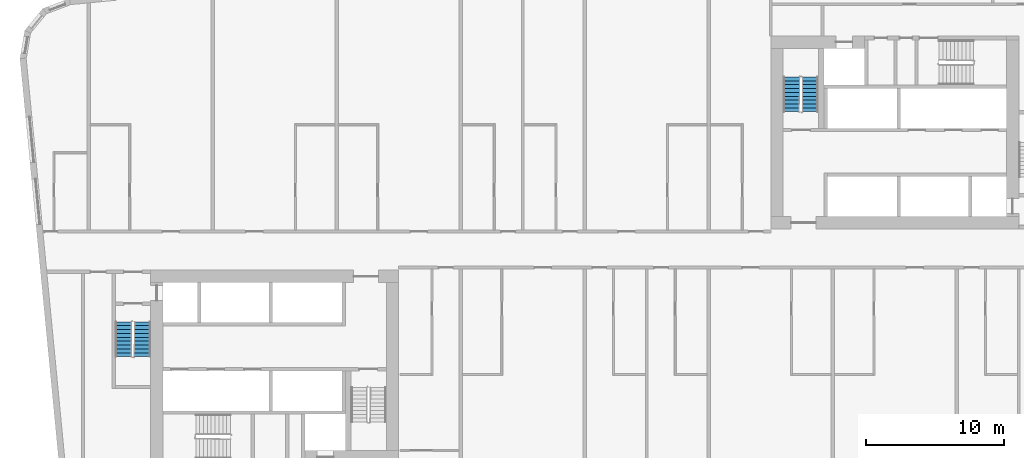
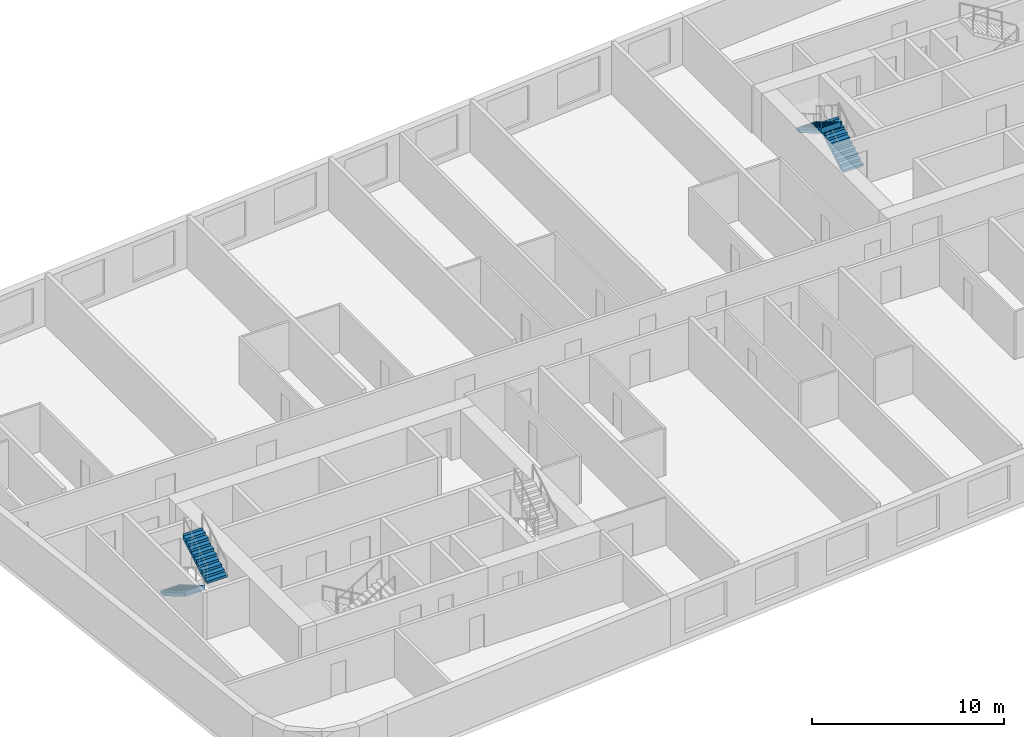
# One storey, part 10 of 12: 4 stair flights, 2 elements without a shape of their own.
"""IFC4 building model written with IfcOpenShell, lengths in metres."""

from ifc_helpers import new_model, si_unit, direction, frame, origin, place, context, subcontext, project, spatial, faceted_brep, material, type_object, element, aggregate, save


model = new_model("IFC4")

# Units and contexts
model_context = context("Model", 3, precision=1e-05, world=origin(), true_north=direction((0.0, 1.0)))
body_context = subcontext(model_context, "Body", "Model", "MODEL_VIEW")
ifc_project = project(units=[si_unit("LENGTHUNIT", "METRE"), si_unit("AREAUNIT", "SQUARE_METRE"), si_unit("VOLUMEUNIT", "CUBIC_METRE"), si_unit("PLANEANGLEUNIT", "RADIAN"), si_unit("MASSUNIT", "GRAM", prefix="KILO")], contexts=[model_context])

# Site, building, storey
site_placement = place(None, origin())
site = spatial("IfcSite", under=ifc_project, at=site_placement, CompositionType="ELEMENT")
building_placement = place(site_placement, origin())
building = spatial("IfcBuilding", under=site, at=building_placement, Name="Kajstack Hotel Tower", CompositionType="ELEMENT")
storey_placement = place(building_placement, frame((0.0, 0.0, 133.89990234375)))
storey = spatial("IfcBuildingStorey", under=building, at=storey_placement, Name="L30", CompositionType="ELEMENT", Elevation=133.89990234375)

# Stair, stair flights
ifc_material = material(Name="Concrete C40/50", Category="concrete")
stair_type = type_object("IfcStairType", Name="Exit stair 1200", PredefinedType="HALF_TURN_STAIR", material=ifc_material)
stair_1_placement = place(storey_placement, origin())
stair_1 = element("IfcStair", 1, at=stair_1_placement, inside=storey, type_object=stair_type, Name="L30 stair W1", PredefinedType="HALF_TURN_STAIR")
stair_flight_type = type_object("IfcStairFlightType", Name="Exit stair flight 1200", PredefinedType="STRAIGHT", material=ifc_material)
stair_flight_1_placement = place(storey_placement, frame((-33.449951171875, -5.25, 0.0), z_axis=(0.0, 0.0, 1.0), x_axis=(0.0, -1.0, 0.0)))
stair_flight_1 = element("IfcStairFlight", 2, at=stair_flight_1_placement, type_object=stair_flight_type, Name="W1 flight 1", NumberOfRisers=10, NumberOfTreads=9, PredefinedType="STRAIGHT", RiserHeight=0.165, TreadLength=0.28, context=body_context, shape_type="Brep", body=[
    faceted_brep([(0.295654296875, -0.60009765625, 0.0), (2.5205078125, -0.60009765625, 1.31103515625), (2.5205078125, -0.60009765625, 1.64990234375), (2.52001953125, -0.60009765625, 1.64990234375), (2.52001953125, -0.60009765625, 1.485107421875), (2.239990234375, -0.60009765625, 1.485107421875), (2.239990234375, -0.60009765625, 1.320068359375), (1.9599609375, -0.60009765625, 1.320068359375), (1.9599609375, -0.60009765625, 1.155029296875), (1.679931640625, -0.60009765625, 1.155029296875), (1.679931640625, -0.60009765625, 0.989990234375), (1.39990234375, -0.60009765625, 0.989990234375), (1.39990234375, -0.60009765625, 0.824951171875), (1.1201171875, -0.60009765625, 0.824951171875), (1.1201171875, -0.60009765625, 0.659912109375), (0.840087890625, -0.60009765625, 0.659912109375), (0.840087890625, -0.60009765625, 0.4951171875), (0.56005859375, -0.60009765625, 0.4951171875), (0.56005859375, -0.60009765625, 0.330078125), (0.280029296875, -0.60009765625, 0.330078125), (0.280029296875, -0.60009765625, 0.1650390625), (-0.00048828125, -0.60009765625, 0.1650390625), (-0.00048828125, -0.60009765625, 0.0), (-0.00048828125, 0.60009765625, 0.0), (-0.00048828125, 0.60009765625, 0.1650390625), (0.280029296875, 0.60009765625, 0.1650390625), (0.280029296875, 0.60009765625, 0.330078125), (0.56005859375, 0.60009765625, 0.330078125), (0.56005859375, 0.60009765625, 0.4951171875), (0.840087890625, 0.60009765625, 0.4951171875), (0.840087890625, 0.60009765625, 0.659912109375), (1.1201171875, 0.60009765625, 0.659912109375), (1.1201171875, 0.60009765625, 0.824951171875), (1.39990234375, 0.60009765625, 0.824951171875), (1.39990234375, 0.60009765625, 0.989990234375), (1.679931640625, 0.60009765625, 0.989990234375), (1.679931640625, 0.60009765625, 1.155029296875), (1.9599609375, 0.60009765625, 1.155029296875), (1.9599609375, 0.60009765625, 1.320068359375), (2.239990234375, 0.60009765625, 1.320068359375), (2.239990234375, 0.60009765625, 1.485107421875), (2.52001953125, 0.60009765625, 1.485107421875), (2.52001953125, 0.60009765625, 1.64990234375), (2.5205078125, 0.60009765625, 1.64990234375), (2.5205078125, 0.60009765625, 1.31103515625), (0.295654296875, 0.60009765625, 0.0), (-0.00048828125, -0.300048828125, 0.1650390625), (-0.00048828125, 0.0, 0.1650390625), (-0.00048828125, 0.300048828125, 0.1650390625), (-0.00048828125, 0.300048828125, 0.0), (-0.00048828125, 0.0, 0.0), (-0.00048828125, -0.300048828125, 0.0), (0.280029296875, -0.300048828125, 0.1650390625), (0.280029296875, 0.0, 0.1650390625), (0.280029296875, 0.300048828125, 0.1650390625), (0.280029296875, -0.300048828125, 0.330078125), (0.280029296875, 0.0, 0.330078125), (0.280029296875, 0.300048828125, 0.330078125), (0.56005859375, -0.300048828125, 0.330078125), (0.56005859375, 0.0, 0.330078125), (0.56005859375, 0.300048828125, 0.330078125), (0.56005859375, -0.300048828125, 0.4951171875), (0.56005859375, 0.0, 0.4951171875), (0.56005859375, 0.300048828125, 0.4951171875), (0.840087890625, -0.300048828125, 0.4951171875), (0.840087890625, 0.0, 0.4951171875), (0.840087890625, 0.300048828125, 0.4951171875), (0.840087890625, -0.300048828125, 0.659912109375), (0.840087890625, 0.0, 0.659912109375), (0.840087890625, 0.300048828125, 0.659912109375), (1.1201171875, -0.300048828125, 0.659912109375), (1.1201171875, 0.0, 0.659912109375), (1.1201171875, 0.300048828125, 0.659912109375), (1.1201171875, -0.300048828125, 0.824951171875), (1.1201171875, 0.0, 0.824951171875), (1.1201171875, 0.300048828125, 0.824951171875), (1.39990234375, -0.300048828125, 0.824951171875), (1.39990234375, 0.0, 0.824951171875), (1.39990234375, 0.300048828125, 0.824951171875), (1.39990234375, -0.300048828125, 0.989990234375), (1.39990234375, 0.0, 0.989990234375), (1.39990234375, 0.300048828125, 0.989990234375), (1.679931640625, -0.300048828125, 0.989990234375), (1.679931640625, 0.0, 0.989990234375), (1.679931640625, 0.300048828125, 0.989990234375), (1.679931640625, -0.300048828125, 1.155029296875), (1.679931640625, 0.0, 1.155029296875), (1.679931640625, 0.300048828125, 1.155029296875), (1.9599609375, -0.300048828125, 1.155029296875), (1.9599609375, 0.0, 1.155029296875), (1.9599609375, 0.300048828125, 1.155029296875), (1.9599609375, -0.300048828125, 1.320068359375), (1.9599609375, 0.0, 1.320068359375), (1.9599609375, 0.300048828125, 1.320068359375), (2.239990234375, -0.300048828125, 1.320068359375), (2.239990234375, 0.0, 1.320068359375), (2.239990234375, 0.300048828125, 1.320068359375), (2.239990234375, -0.300048828125, 1.485107421875), (2.239990234375, 0.0, 1.485107421875), (2.239990234375, 0.300048828125, 1.485107421875), (2.52001953125, -0.300048828125, 1.485107421875), (2.52001953125, 0.0, 1.485107421875), (2.52001953125, 0.300048828125, 1.485107421875), (2.52001953125, -0.300048828125, 1.64990234375), (2.52001953125, 0.0, 1.64990234375), (2.52001953125, 0.300048828125, 1.64990234375), (2.5205078125, -0.300048828125, 1.64990234375), (2.5205078125, 0.0, 1.64990234375), (2.5205078125, 0.300048828125, 1.64990234375), (2.5205078125, -0.300048828125, 1.31103515625), (2.5205078125, 0.0, 1.31103515625), (2.5205078125, 0.300048828125, 1.31103515625), (0.295654296875, -0.300048828125, 0.0), (0.295654296875, 0.0, 0.0), (0.295654296875, 0.300048828125, 0.0)], [[[0, 1, 2, 3, 4, 5, 6, 7, 8, 9, 10, 11, 12, 13, 14, 15, 16, 17, 18, 19, 20, 21, 22]], [[23, 24, 25, 26, 27, 28, 29, 30, 31, 32, 33, 34, 35, 36, 37, 38, 39, 40, 41, 42, 43, 44, 45]], [[21, 46, 47, 48, 24, 23, 49, 50, 51, 22]], [[20, 52, 53, 54, 25, 24, 48, 47, 46, 21]], [[19, 55, 56, 57, 26, 25, 54, 53, 52, 20]], [[18, 58, 59, 60, 27, 26, 57, 56, 55, 19]], [[17, 61, 62, 63, 28, 27, 60, 59, 58, 18]], [[16, 64, 65, 66, 29, 28, 63, 62, 61, 17]], [[15, 67, 68, 69, 30, 29, 66, 65, 64, 16]], [[14, 70, 71, 72, 31, 30, 69, 68, 67, 15]], [[13, 73, 74, 75, 32, 31, 72, 71, 70, 14]], [[12, 76, 77, 78, 33, 32, 75, 74, 73, 13]], [[11, 79, 80, 81, 34, 33, 78, 77, 76, 12]], [[10, 82, 83, 84, 35, 34, 81, 80, 79, 11]], [[9, 85, 86, 87, 36, 35, 84, 83, 82, 10]], [[8, 88, 89, 90, 37, 36, 87, 86, 85, 9]], [[7, 91, 92, 93, 38, 37, 90, 89, 88, 8]], [[6, 94, 95, 96, 39, 38, 93, 92, 91, 7]], [[5, 97, 98, 99, 40, 39, 96, 95, 94, 6]], [[4, 100, 101, 102, 41, 40, 99, 98, 97, 5]], [[3, 103, 104, 105, 42, 41, 102, 101, 100, 4]], [[2, 106, 107, 108, 43, 42, 105, 104, 103, 3]], [[1, 109, 110, 111, 44, 43, 108, 107, 106, 2]], [[0, 112, 113, 114, 45, 44, 111, 110, 109, 1]], [[22, 51, 50, 49, 23, 45, 114, 113, 112, 0]]]),
])
stair_flight_2_placement = place(storey_placement, frame((-32.10009765625, -7.77001953125, 1.650146484375), z_axis=(0.0, 0.0, 1.0), x_axis=(0.0, 1.0, 0.0)))
stair_flight_2 = element("IfcStairFlight", 3, at=stair_flight_2_placement, type_object=stair_flight_type, Name="W1 flight 2", NumberOfRisers=10, NumberOfTreads=9, PredefinedType="STRAIGHT", RiserHeight=0.165, TreadLength=0.28, context=body_context, shape_type="Brep", body=[
    faceted_brep([(0.295654296875, -0.60009765625, 0.0), (2.5205078125, -0.60009765625, 1.31103515625), (2.5205078125, -0.60009765625, 1.64990234375), (2.52001953125, -0.60009765625, 1.64990234375), (2.52001953125, -0.60009765625, 1.485107421875), (2.239990234375, -0.60009765625, 1.485107421875), (2.239990234375, -0.60009765625, 1.320068359375), (1.9599609375, -0.60009765625, 1.320068359375), (1.9599609375, -0.60009765625, 1.155029296875), (1.679931640625, -0.60009765625, 1.155029296875), (1.679931640625, -0.60009765625, 0.989990234375), (1.39990234375, -0.60009765625, 0.989990234375), (1.39990234375, -0.60009765625, 0.824951171875), (1.1201171875, -0.60009765625, 0.824951171875), (1.1201171875, -0.60009765625, 0.659912109375), (0.840087890625, -0.60009765625, 0.659912109375), (0.840087890625, -0.60009765625, 0.4951171875), (0.56005859375, -0.60009765625, 0.4951171875), (0.56005859375, -0.60009765625, 0.330078125), (0.280029296875, -0.60009765625, 0.330078125), (0.280029296875, -0.60009765625, 0.1650390625), (-0.00048828125, -0.60009765625, 0.1650390625), (-0.00048828125, -0.60009765625, 0.0), (-0.00048828125, 0.60009765625, 0.0), (-0.00048828125, 0.60009765625, 0.1650390625), (0.280029296875, 0.60009765625, 0.1650390625), (0.280029296875, 0.60009765625, 0.330078125), (0.56005859375, 0.60009765625, 0.330078125), (0.56005859375, 0.60009765625, 0.4951171875), (0.840087890625, 0.60009765625, 0.4951171875), (0.840087890625, 0.60009765625, 0.659912109375), (1.1201171875, 0.60009765625, 0.659912109375), (1.1201171875, 0.60009765625, 0.824951171875), (1.39990234375, 0.60009765625, 0.824951171875), (1.39990234375, 0.60009765625, 0.989990234375), (1.679931640625, 0.60009765625, 0.989990234375), (1.679931640625, 0.60009765625, 1.155029296875), (1.9599609375, 0.60009765625, 1.155029296875), (1.9599609375, 0.60009765625, 1.320068359375), (2.239990234375, 0.60009765625, 1.320068359375), (2.239990234375, 0.60009765625, 1.485107421875), (2.52001953125, 0.60009765625, 1.485107421875), (2.52001953125, 0.60009765625, 1.64990234375), (2.5205078125, 0.60009765625, 1.64990234375), (2.5205078125, 0.60009765625, 1.31103515625), (0.295654296875, 0.60009765625, 0.0), (-0.00048828125, -0.300048828125, 0.1650390625), (-0.00048828125, 0.0, 0.1650390625), (-0.00048828125, 0.300048828125, 0.1650390625), (-0.00048828125, 0.300048828125, 0.0), (-0.00048828125, 0.0, 0.0), (-0.00048828125, -0.300048828125, 0.0), (0.280029296875, -0.300048828125, 0.1650390625), (0.280029296875, 0.0, 0.1650390625), (0.280029296875, 0.300048828125, 0.1650390625), (0.280029296875, -0.300048828125, 0.330078125), (0.280029296875, 0.0, 0.330078125), (0.280029296875, 0.300048828125, 0.330078125), (0.56005859375, -0.300048828125, 0.330078125), (0.56005859375, 0.0, 0.330078125), (0.56005859375, 0.300048828125, 0.330078125), (0.56005859375, -0.300048828125, 0.4951171875), (0.56005859375, 0.0, 0.4951171875), (0.56005859375, 0.300048828125, 0.4951171875), (0.840087890625, -0.300048828125, 0.4951171875), (0.840087890625, 0.0, 0.4951171875), (0.840087890625, 0.300048828125, 0.4951171875), (0.840087890625, -0.300048828125, 0.659912109375), (0.840087890625, 0.0, 0.659912109375), (0.840087890625, 0.300048828125, 0.659912109375), (1.1201171875, -0.300048828125, 0.659912109375), (1.1201171875, 0.0, 0.659912109375), (1.1201171875, 0.300048828125, 0.659912109375), (1.1201171875, -0.300048828125, 0.824951171875), (1.1201171875, 0.0, 0.824951171875), (1.1201171875, 0.300048828125, 0.824951171875), (1.39990234375, -0.300048828125, 0.824951171875), (1.39990234375, 0.0, 0.824951171875), (1.39990234375, 0.300048828125, 0.824951171875), (1.39990234375, -0.300048828125, 0.989990234375), (1.39990234375, 0.0, 0.989990234375), (1.39990234375, 0.300048828125, 0.989990234375), (1.679931640625, -0.300048828125, 0.989990234375), (1.679931640625, 0.0, 0.989990234375), (1.679931640625, 0.300048828125, 0.989990234375), (1.679931640625, -0.300048828125, 1.155029296875), (1.679931640625, 0.0, 1.155029296875), (1.679931640625, 0.300048828125, 1.155029296875), (1.9599609375, -0.300048828125, 1.155029296875), (1.9599609375, 0.0, 1.155029296875), (1.9599609375, 0.300048828125, 1.155029296875), (1.9599609375, -0.300048828125, 1.320068359375), (1.9599609375, 0.0, 1.320068359375), (1.9599609375, 0.300048828125, 1.320068359375), (2.239990234375, -0.300048828125, 1.320068359375), (2.239990234375, 0.0, 1.320068359375), (2.239990234375, 0.300048828125, 1.320068359375), (2.239990234375, -0.300048828125, 1.485107421875), (2.239990234375, 0.0, 1.485107421875), (2.239990234375, 0.300048828125, 1.485107421875), (2.52001953125, -0.300048828125, 1.485107421875), (2.52001953125, 0.0, 1.485107421875), (2.52001953125, 0.300048828125, 1.485107421875), (2.52001953125, -0.300048828125, 1.64990234375), (2.52001953125, 0.0, 1.64990234375), (2.52001953125, 0.300048828125, 1.64990234375), (2.5205078125, -0.300048828125, 1.64990234375), (2.5205078125, 0.0, 1.64990234375), (2.5205078125, 0.300048828125, 1.64990234375), (2.5205078125, -0.300048828125, 1.31103515625), (2.5205078125, 0.0, 1.31103515625), (2.5205078125, 0.300048828125, 1.31103515625), (0.295654296875, -0.300048828125, 0.0), (0.295654296875, 0.0, 0.0), (0.295654296875, 0.300048828125, 0.0)], [[[0, 1, 2, 3, 4, 5, 6, 7, 8, 9, 10, 11, 12, 13, 14, 15, 16, 17, 18, 19, 20, 21, 22]], [[23, 24, 25, 26, 27, 28, 29, 30, 31, 32, 33, 34, 35, 36, 37, 38, 39, 40, 41, 42, 43, 44, 45]], [[21, 46, 47, 48, 24, 23, 49, 50, 51, 22]], [[20, 52, 53, 54, 25, 24, 48, 47, 46, 21]], [[19, 55, 56, 57, 26, 25, 54, 53, 52, 20]], [[18, 58, 59, 60, 27, 26, 57, 56, 55, 19]], [[17, 61, 62, 63, 28, 27, 60, 59, 58, 18]], [[16, 64, 65, 66, 29, 28, 63, 62, 61, 17]], [[15, 67, 68, 69, 30, 29, 66, 65, 64, 16]], [[14, 70, 71, 72, 31, 30, 69, 68, 67, 15]], [[13, 73, 74, 75, 32, 31, 72, 71, 70, 14]], [[12, 76, 77, 78, 33, 32, 75, 74, 73, 13]], [[11, 79, 80, 81, 34, 33, 78, 77, 76, 12]], [[10, 82, 83, 84, 35, 34, 81, 80, 79, 11]], [[9, 85, 86, 87, 36, 35, 84, 83, 82, 10]], [[8, 88, 89, 90, 37, 36, 87, 86, 85, 9]], [[7, 91, 92, 93, 38, 37, 90, 89, 88, 8]], [[6, 94, 95, 96, 39, 38, 93, 92, 91, 7]], [[5, 97, 98, 99, 40, 39, 96, 95, 94, 6]], [[4, 100, 101, 102, 41, 40, 99, 98, 97, 5]], [[3, 103, 104, 105, 42, 41, 102, 101, 100, 4]], [[2, 106, 107, 108, 43, 42, 105, 104, 103, 3]], [[1, 109, 110, 111, 44, 43, 108, 107, 106, 2]], [[0, 112, 113, 114, 45, 44, 111, 110, 109, 1]], [[22, 51, 50, 49, 23, 45, 114, 113, 112, 0]]]),
])
aggregate(stair_1, [stair_flight_1, stair_flight_2])

stair_2_placement = place(storey_placement, origin())
stair_2 = element("IfcStair", 4, at=stair_2_placement, inside=storey, type_object=stair_type, Name="L30 stair E2", PredefinedType="HALF_TURN_STAIR")
stair_flight_3_placement = place(storey_placement, frame((16.35009765625, 10.0, 0.0), z_axis=(0.0, 0.0, 1.0), x_axis=(0.0, 1.0, 0.0)))
stair_flight_3 = element("IfcStairFlight", 5, at=stair_flight_3_placement, type_object=stair_flight_type, Name="E2 flight 1", NumberOfRisers=10, NumberOfTreads=9, PredefinedType="STRAIGHT", RiserHeight=0.165, TreadLength=0.28, context=body_context, shape_type="Brep", body=[
    faceted_brep([(0.295654296875, -0.60009765625, 0.0), (2.5205078125, -0.60009765625, 1.31103515625), (2.5205078125, -0.60009765625, 1.64990234375), (2.52001953125, -0.60009765625, 1.64990234375), (2.52001953125, -0.60009765625, 1.485107421875), (2.239990234375, -0.60009765625, 1.485107421875), (2.239990234375, -0.60009765625, 1.320068359375), (1.9599609375, -0.60009765625, 1.320068359375), (1.9599609375, -0.60009765625, 1.155029296875), (1.679931640625, -0.60009765625, 1.155029296875), (1.679931640625, -0.60009765625, 0.989990234375), (1.39990234375, -0.60009765625, 0.989990234375), (1.39990234375, -0.60009765625, 0.824951171875), (1.1201171875, -0.60009765625, 0.824951171875), (1.1201171875, -0.60009765625, 0.659912109375), (0.840087890625, -0.60009765625, 0.659912109375), (0.840087890625, -0.60009765625, 0.4951171875), (0.56005859375, -0.60009765625, 0.4951171875), (0.56005859375, -0.60009765625, 0.330078125), (0.280029296875, -0.60009765625, 0.330078125), (0.280029296875, -0.60009765625, 0.1650390625), (-0.00048828125, -0.60009765625, 0.1650390625), (-0.00048828125, -0.60009765625, 0.0), (-0.00048828125, 0.60009765625, 0.0), (-0.00048828125, 0.60009765625, 0.1650390625), (0.280029296875, 0.60009765625, 0.1650390625), (0.280029296875, 0.60009765625, 0.330078125), (0.56005859375, 0.60009765625, 0.330078125), (0.56005859375, 0.60009765625, 0.4951171875), (0.840087890625, 0.60009765625, 0.4951171875), (0.840087890625, 0.60009765625, 0.659912109375), (1.1201171875, 0.60009765625, 0.659912109375), (1.1201171875, 0.60009765625, 0.824951171875), (1.39990234375, 0.60009765625, 0.824951171875), (1.39990234375, 0.60009765625, 0.989990234375), (1.679931640625, 0.60009765625, 0.989990234375), (1.679931640625, 0.60009765625, 1.155029296875), (1.9599609375, 0.60009765625, 1.155029296875), (1.9599609375, 0.60009765625, 1.320068359375), (2.239990234375, 0.60009765625, 1.320068359375), (2.239990234375, 0.60009765625, 1.485107421875), (2.52001953125, 0.60009765625, 1.485107421875), (2.52001953125, 0.60009765625, 1.64990234375), (2.5205078125, 0.60009765625, 1.64990234375), (2.5205078125, 0.60009765625, 1.31103515625), (0.295654296875, 0.60009765625, 0.0), (-0.00048828125, -0.300048828125, 0.1650390625), (-0.00048828125, 0.0, 0.1650390625), (-0.00048828125, 0.300048828125, 0.1650390625), (-0.00048828125, 0.300048828125, 0.0), (-0.00048828125, 0.0, 0.0), (-0.00048828125, -0.300048828125, 0.0), (0.280029296875, -0.300048828125, 0.1650390625), (0.280029296875, 0.0, 0.1650390625), (0.280029296875, 0.300048828125, 0.1650390625), (0.280029296875, -0.300048828125, 0.330078125), (0.280029296875, 0.0, 0.330078125), (0.280029296875, 0.300048828125, 0.330078125), (0.56005859375, -0.300048828125, 0.330078125), (0.56005859375, 0.0, 0.330078125), (0.56005859375, 0.300048828125, 0.330078125), (0.56005859375, -0.300048828125, 0.4951171875), (0.56005859375, 0.0, 0.4951171875), (0.56005859375, 0.300048828125, 0.4951171875), (0.840087890625, -0.300048828125, 0.4951171875), (0.840087890625, 0.0, 0.4951171875), (0.840087890625, 0.300048828125, 0.4951171875), (0.840087890625, -0.300048828125, 0.659912109375), (0.840087890625, 0.0, 0.659912109375), (0.840087890625, 0.300048828125, 0.659912109375), (1.1201171875, -0.300048828125, 0.659912109375), (1.1201171875, 0.0, 0.659912109375), (1.1201171875, 0.300048828125, 0.659912109375), (1.1201171875, -0.300048828125, 0.824951171875), (1.1201171875, 0.0, 0.824951171875), (1.1201171875, 0.300048828125, 0.824951171875), (1.39990234375, -0.300048828125, 0.824951171875), (1.39990234375, 0.0, 0.824951171875), (1.39990234375, 0.300048828125, 0.824951171875), (1.39990234375, -0.300048828125, 0.989990234375), (1.39990234375, 0.0, 0.989990234375), (1.39990234375, 0.300048828125, 0.989990234375), (1.679931640625, -0.300048828125, 0.989990234375), (1.679931640625, 0.0, 0.989990234375), (1.679931640625, 0.300048828125, 0.989990234375), (1.679931640625, -0.300048828125, 1.155029296875), (1.679931640625, 0.0, 1.155029296875), (1.679931640625, 0.300048828125, 1.155029296875), (1.9599609375, -0.300048828125, 1.155029296875), (1.9599609375, 0.0, 1.155029296875), (1.9599609375, 0.300048828125, 1.155029296875), (1.9599609375, -0.300048828125, 1.320068359375), (1.9599609375, 0.0, 1.320068359375), (1.9599609375, 0.300048828125, 1.320068359375), (2.239990234375, -0.300048828125, 1.320068359375), (2.239990234375, 0.0, 1.320068359375), (2.239990234375, 0.300048828125, 1.320068359375), (2.239990234375, -0.300048828125, 1.485107421875), (2.239990234375, 0.0, 1.485107421875), (2.239990234375, 0.300048828125, 1.485107421875), (2.52001953125, -0.300048828125, 1.485107421875), (2.52001953125, 0.0, 1.485107421875), (2.52001953125, 0.300048828125, 1.485107421875), (2.52001953125, -0.300048828125, 1.64990234375), (2.52001953125, 0.0, 1.64990234375), (2.52001953125, 0.300048828125, 1.64990234375), (2.5205078125, -0.300048828125, 1.64990234375), (2.5205078125, 0.0, 1.64990234375), (2.5205078125, 0.300048828125, 1.64990234375), (2.5205078125, -0.300048828125, 1.31103515625), (2.5205078125, 0.0, 1.31103515625), (2.5205078125, 0.300048828125, 1.31103515625), (0.295654296875, -0.300048828125, 0.0), (0.295654296875, 0.0, 0.0), (0.295654296875, 0.300048828125, 0.0)], [[[0, 1, 2, 3, 4, 5, 6, 7, 8, 9, 10, 11, 12, 13, 14, 15, 16, 17, 18, 19, 20, 21, 22]], [[23, 24, 25, 26, 27, 28, 29, 30, 31, 32, 33, 34, 35, 36, 37, 38, 39, 40, 41, 42, 43, 44, 45]], [[21, 46, 47, 48, 24, 23, 49, 50, 51, 22]], [[20, 52, 53, 54, 25, 24, 48, 47, 46, 21]], [[19, 55, 56, 57, 26, 25, 54, 53, 52, 20]], [[18, 58, 59, 60, 27, 26, 57, 56, 55, 19]], [[17, 61, 62, 63, 28, 27, 60, 59, 58, 18]], [[16, 64, 65, 66, 29, 28, 63, 62, 61, 17]], [[15, 67, 68, 69, 30, 29, 66, 65, 64, 16]], [[14, 70, 71, 72, 31, 30, 69, 68, 67, 15]], [[13, 73, 74, 75, 32, 31, 72, 71, 70, 14]], [[12, 76, 77, 78, 33, 32, 75, 74, 73, 13]], [[11, 79, 80, 81, 34, 33, 78, 77, 76, 12]], [[10, 82, 83, 84, 35, 34, 81, 80, 79, 11]], [[9, 85, 86, 87, 36, 35, 84, 83, 82, 10]], [[8, 88, 89, 90, 37, 36, 87, 86, 85, 9]], [[7, 91, 92, 93, 38, 37, 90, 89, 88, 8]], [[6, 94, 95, 96, 39, 38, 93, 92, 91, 7]], [[5, 97, 98, 99, 40, 39, 96, 95, 94, 6]], [[4, 100, 101, 102, 41, 40, 99, 98, 97, 5]], [[3, 103, 104, 105, 42, 41, 102, 101, 100, 4]], [[2, 106, 107, 108, 43, 42, 105, 104, 103, 3]], [[1, 109, 110, 111, 44, 43, 108, 107, 106, 2]], [[0, 112, 113, 114, 45, 44, 111, 110, 109, 1]], [[22, 51, 50, 49, 23, 45, 114, 113, 112, 0]]]),
])
stair_flight_4_placement = place(storey_placement, frame((15.0, 12.52001953125, 1.650146484375), z_axis=(0.0, 0.0, 1.0), x_axis=(0.0, -1.0, 0.0)))
stair_flight_4 = element("IfcStairFlight", 6, at=stair_flight_4_placement, type_object=stair_flight_type, Name="E2 flight 2", NumberOfRisers=10, NumberOfTreads=9, PredefinedType="STRAIGHT", RiserHeight=0.165, TreadLength=0.28, context=body_context, shape_type="Brep", body=[
    faceted_brep([(0.295654296875, -0.60009765625, 0.0), (2.5205078125, -0.60009765625, 1.31103515625), (2.5205078125, -0.60009765625, 1.64990234375), (2.52001953125, -0.60009765625, 1.64990234375), (2.52001953125, -0.60009765625, 1.485107421875), (2.239990234375, -0.60009765625, 1.485107421875), (2.239990234375, -0.60009765625, 1.320068359375), (1.9599609375, -0.60009765625, 1.320068359375), (1.9599609375, -0.60009765625, 1.155029296875), (1.679931640625, -0.60009765625, 1.155029296875), (1.679931640625, -0.60009765625, 0.989990234375), (1.39990234375, -0.60009765625, 0.989990234375), (1.39990234375, -0.60009765625, 0.824951171875), (1.1201171875, -0.60009765625, 0.824951171875), (1.1201171875, -0.60009765625, 0.659912109375), (0.840087890625, -0.60009765625, 0.659912109375), (0.840087890625, -0.60009765625, 0.4951171875), (0.56005859375, -0.60009765625, 0.4951171875), (0.56005859375, -0.60009765625, 0.330078125), (0.280029296875, -0.60009765625, 0.330078125), (0.280029296875, -0.60009765625, 0.1650390625), (-0.00048828125, -0.60009765625, 0.1650390625), (-0.00048828125, -0.60009765625, 0.0), (-0.00048828125, 0.60009765625, 0.0), (-0.00048828125, 0.60009765625, 0.1650390625), (0.280029296875, 0.60009765625, 0.1650390625), (0.280029296875, 0.60009765625, 0.330078125), (0.56005859375, 0.60009765625, 0.330078125), (0.56005859375, 0.60009765625, 0.4951171875), (0.840087890625, 0.60009765625, 0.4951171875), (0.840087890625, 0.60009765625, 0.659912109375), (1.1201171875, 0.60009765625, 0.659912109375), (1.1201171875, 0.60009765625, 0.824951171875), (1.39990234375, 0.60009765625, 0.824951171875), (1.39990234375, 0.60009765625, 0.989990234375), (1.679931640625, 0.60009765625, 0.989990234375), (1.679931640625, 0.60009765625, 1.155029296875), (1.9599609375, 0.60009765625, 1.155029296875), (1.9599609375, 0.60009765625, 1.320068359375), (2.239990234375, 0.60009765625, 1.320068359375), (2.239990234375, 0.60009765625, 1.485107421875), (2.52001953125, 0.60009765625, 1.485107421875), (2.52001953125, 0.60009765625, 1.64990234375), (2.5205078125, 0.60009765625, 1.64990234375), (2.5205078125, 0.60009765625, 1.31103515625), (0.295654296875, 0.60009765625, 0.0), (-0.00048828125, -0.300048828125, 0.1650390625), (-0.00048828125, 0.0, 0.1650390625), (-0.00048828125, 0.300048828125, 0.1650390625), (-0.00048828125, 0.300048828125, 0.0), (-0.00048828125, 0.0, 0.0), (-0.00048828125, -0.300048828125, 0.0), (0.280029296875, -0.300048828125, 0.1650390625), (0.280029296875, 0.0, 0.1650390625), (0.280029296875, 0.300048828125, 0.1650390625), (0.280029296875, -0.300048828125, 0.330078125), (0.280029296875, 0.0, 0.330078125), (0.280029296875, 0.300048828125, 0.330078125), (0.56005859375, -0.300048828125, 0.330078125), (0.56005859375, 0.0, 0.330078125), (0.56005859375, 0.300048828125, 0.330078125), (0.56005859375, -0.300048828125, 0.4951171875), (0.56005859375, 0.0, 0.4951171875), (0.56005859375, 0.300048828125, 0.4951171875), (0.840087890625, -0.300048828125, 0.4951171875), (0.840087890625, 0.0, 0.4951171875), (0.840087890625, 0.300048828125, 0.4951171875), (0.840087890625, -0.300048828125, 0.659912109375), (0.840087890625, 0.0, 0.659912109375), (0.840087890625, 0.300048828125, 0.659912109375), (1.1201171875, -0.300048828125, 0.659912109375), (1.1201171875, 0.0, 0.659912109375), (1.1201171875, 0.300048828125, 0.659912109375), (1.1201171875, -0.300048828125, 0.824951171875), (1.1201171875, 0.0, 0.824951171875), (1.1201171875, 0.300048828125, 0.824951171875), (1.39990234375, -0.300048828125, 0.824951171875), (1.39990234375, 0.0, 0.824951171875), (1.39990234375, 0.300048828125, 0.824951171875), (1.39990234375, -0.300048828125, 0.989990234375), (1.39990234375, 0.0, 0.989990234375), (1.39990234375, 0.300048828125, 0.989990234375), (1.679931640625, -0.300048828125, 0.989990234375), (1.679931640625, 0.0, 0.989990234375), (1.679931640625, 0.300048828125, 0.989990234375), (1.679931640625, -0.300048828125, 1.155029296875), (1.679931640625, 0.0, 1.155029296875), (1.679931640625, 0.300048828125, 1.155029296875), (1.9599609375, -0.300048828125, 1.155029296875), (1.9599609375, 0.0, 1.155029296875), (1.9599609375, 0.300048828125, 1.155029296875), (1.9599609375, -0.300048828125, 1.320068359375), (1.9599609375, 0.0, 1.320068359375), (1.9599609375, 0.300048828125, 1.320068359375), (2.239990234375, -0.300048828125, 1.320068359375), (2.239990234375, 0.0, 1.320068359375), (2.239990234375, 0.300048828125, 1.320068359375), (2.239990234375, -0.300048828125, 1.485107421875), (2.239990234375, 0.0, 1.485107421875), (2.239990234375, 0.300048828125, 1.485107421875), (2.52001953125, -0.300048828125, 1.485107421875), (2.52001953125, 0.0, 1.485107421875), (2.52001953125, 0.300048828125, 1.485107421875), (2.52001953125, -0.300048828125, 1.64990234375), (2.52001953125, 0.0, 1.64990234375), (2.52001953125, 0.300048828125, 1.64990234375), (2.5205078125, -0.300048828125, 1.64990234375), (2.5205078125, 0.0, 1.64990234375), (2.5205078125, 0.300048828125, 1.64990234375), (2.5205078125, -0.300048828125, 1.31103515625), (2.5205078125, 0.0, 1.31103515625), (2.5205078125, 0.300048828125, 1.31103515625), (0.295654296875, -0.300048828125, 0.0), (0.295654296875, 0.0, 0.0), (0.295654296875, 0.300048828125, 0.0)], [[[0, 1, 2, 3, 4, 5, 6, 7, 8, 9, 10, 11, 12, 13, 14, 15, 16, 17, 18, 19, 20, 21, 22]], [[23, 24, 25, 26, 27, 28, 29, 30, 31, 32, 33, 34, 35, 36, 37, 38, 39, 40, 41, 42, 43, 44, 45]], [[21, 46, 47, 48, 24, 23, 49, 50, 51, 22]], [[20, 52, 53, 54, 25, 24, 48, 47, 46, 21]], [[19, 55, 56, 57, 26, 25, 54, 53, 52, 20]], [[18, 58, 59, 60, 27, 26, 57, 56, 55, 19]], [[17, 61, 62, 63, 28, 27, 60, 59, 58, 18]], [[16, 64, 65, 66, 29, 28, 63, 62, 61, 17]], [[15, 67, 68, 69, 30, 29, 66, 65, 64, 16]], [[14, 70, 71, 72, 31, 30, 69, 68, 67, 15]], [[13, 73, 74, 75, 32, 31, 72, 71, 70, 14]], [[12, 76, 77, 78, 33, 32, 75, 74, 73, 13]], [[11, 79, 80, 81, 34, 33, 78, 77, 76, 12]], [[10, 82, 83, 84, 35, 34, 81, 80, 79, 11]], [[9, 85, 86, 87, 36, 35, 84, 83, 82, 10]], [[8, 88, 89, 90, 37, 36, 87, 86, 85, 9]], [[7, 91, 92, 93, 38, 37, 90, 89, 88, 8]], [[6, 94, 95, 96, 39, 38, 93, 92, 91, 7]], [[5, 97, 98, 99, 40, 39, 96, 95, 94, 6]], [[4, 100, 101, 102, 41, 40, 99, 98, 97, 5]], [[3, 103, 104, 105, 42, 41, 102, 101, 100, 4]], [[2, 106, 107, 108, 43, 42, 105, 104, 103, 3]], [[1, 109, 110, 111, 44, 43, 108, 107, 106, 2]], [[0, 112, 113, 114, 45, 44, 111, 110, 109, 1]], [[22, 51, 50, 49, 23, 45, 114, 113, 112, 0]]]),
])
aggregate(stair_2, [stair_flight_3, stair_flight_4])

save(model, "model.ifc")
